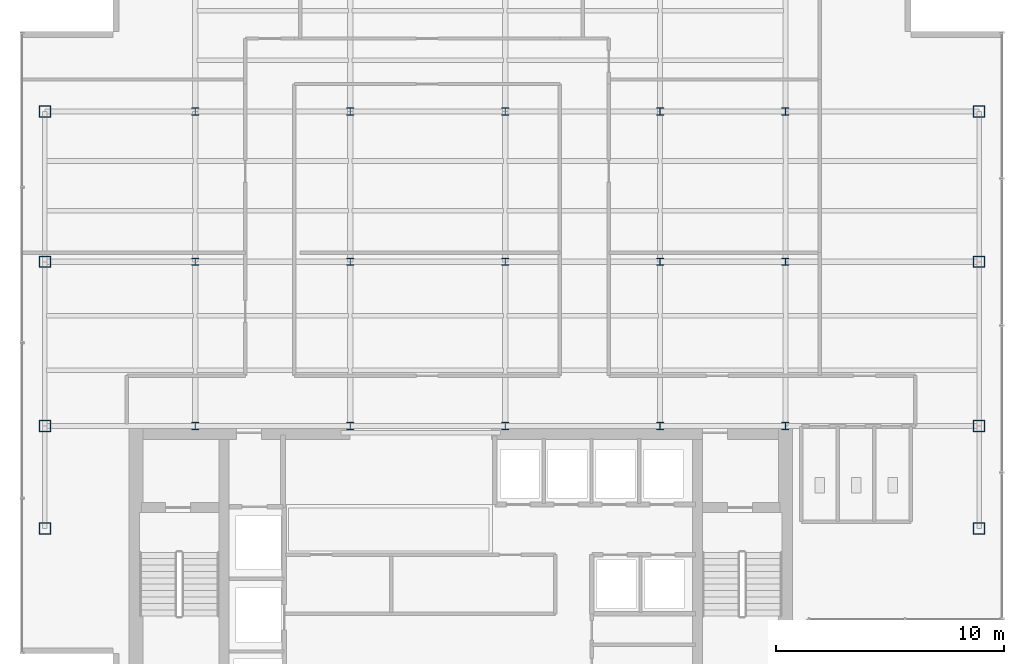
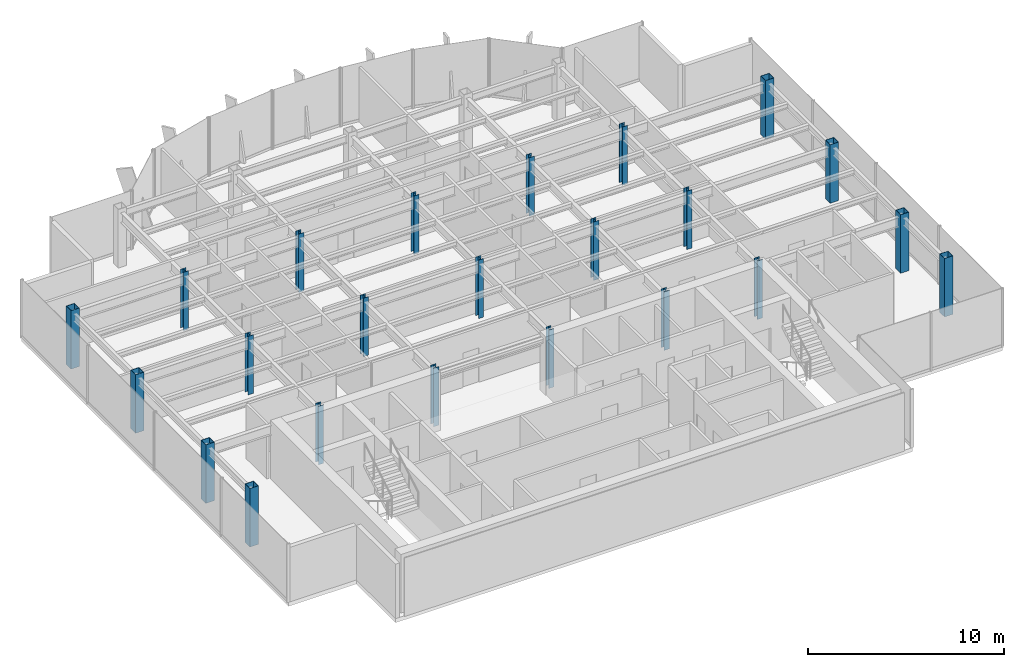
# One storey, part 1 of 22: 23 columns.
"""IFC4 building model written with IfcOpenShell, lengths in metres."""

from ifc_helpers import new_model, si_unit, derived_unit, direction, frame, origin, origin_2d, place, context, subcontext, project, spatial, hollow_rectangle, i_section, extrude, source, transform, mapped, material, material_profile, profile_set, type_object, element, save


model = new_model("IFC4")

# Units and contexts
model_context = context("Model", 3, precision=1e-05, world=origin(), true_north=direction((0.0, 1.0)))
body_context = subcontext(model_context, "Body", "Model", "MODEL_VIEW")
ifc_project = project(units=[si_unit("LENGTHUNIT", "METRE"), si_unit("AREAUNIT", "SQUARE_METRE"), si_unit("VOLUMEUNIT", "CUBIC_METRE"), si_unit("PLANEANGLEUNIT", "RADIAN"), si_unit("MASSUNIT", "GRAM", prefix="KILO"), derived_unit("THERMALTRANSMITTANCEUNIT", [(si_unit("POWERUNIT", "WATT"), 1), (si_unit("LENGTHUNIT", "METRE"), -2), (si_unit("THERMODYNAMICTEMPERATUREUNIT", "KELVIN"), -1)])], contexts=[model_context])

# Site, building, storey
site_placement = place(None, origin())
site = spatial("IfcSite", under=ifc_project, at=site_placement, CompositionType="ELEMENT")
building_placement = place(site_placement, origin())
building = spatial("IfcBuilding", under=site, at=building_placement, Name="Skarnbrae Concourse Arena and Tower", CompositionType="ELEMENT")
storey_placement = place(building_placement, frame((0.0, 0.0, 277.050048828125)))
storey = spatial("IfcBuildingStorey", under=building, at=storey_placement, Name="L72", CompositionType="ELEMENT", Elevation=277.050048828125)

# Columns
ifc_material = material(Name="Steel CSA G40.21 350W", Category="steel")
ifc_material_profile_1 = material_profile(ifc_material, hollow_rectangle(XDim=0.5, YDim=0.5, WallThickness=0.02197265625, at=origin_2d()), Name="HSS500X500X22.0")
ifc_profile_set_1 = profile_set([ifc_material_profile_1], Name="Steel CSA G40.21 350W")
column_type_1 = type_object("IfcColumnType", Name="COL-TUBE-HSS500", PredefinedType="COLUMN", material=ifc_profile_set_1)
shared_shape_1 = source(origin(), body_context, "Body", "SweptSolid", [
    extrude(hollow_rectangle(XDim=0.5, YDim=0.5, WallThickness=0.02197265625, at=origin_2d()), origin(), (0.0, 0.0, 1.0), 3.64990234375),
])
for number, where, z_axis, x_axis, name in (
    (1, (1.0, 9.5, 0.0), (0.0, 0.0, 1.0), (1.0, 0.0, 0.0), "L72 Tower column PC_01_01"),
    (2, (1.0, 14.0, 0.0), (0.0, 0.0, 1.0), (1.0, 0.0, 0.0), "L72 Tower column PC_01_02"),
    (3, (1.0, 21.199951171875, 0.0), (0.0, 0.0, 1.0), (1.0, 0.0, 0.0), "L72 Tower column PC_01_03"),
    (4, (1.0, 27.800048828125, 0.0), (0.0, 0.0, 1.0), (1.0, 0.0, 0.0), "L72 Tower column PC_01_04"),
    (5, (42.0, 9.5, 0.0), (0.0, 0.0, 1.0), (1.0, 0.0, 0.0), "L72 Tower column PC_07_01"),
    (6, (42.0, 14.0, 0.0), (0.0, 0.0, 1.0), (1.0, 0.0, 0.0), "L72 Tower column PC_07_02"),
    (7, (42.0, 21.199951171875, 0.0), (0.0, 0.0, 1.0), (1.0, 0.0, 0.0), "L72 Tower column PC_07_03"),
    (8, (42.0, 27.800048828125, 0.0), (0.0, 0.0, 1.0), (1.0, 0.0, 0.0), "L72 Tower column PC_07_04"),
):
    element("IfcColumn", number, at=place(storey_placement, frame(where, z_axis=z_axis, x_axis=x_axis)), inside=storey, type_object=column_type_1, Name=name, PredefinedType="COLUMN", context=body_context, shape_type="MappedRepresentation", body=[
        mapped(shared_shape_1, transform((0.0, 0.0, 0.0))),
    ])
ifc_material_profile_2 = material_profile(ifc_material, i_section(OverallWidth=0.30908203125, OverallDepth=0.322998046875, WebThickness=0.013916015625, FlangeThickness=0.02294921875, at=origin_2d()), Name="W310X143")
ifc_profile_set_2 = profile_set([ifc_material_profile_2], Name="Steel CSA G40.21 350W")
column_type_2 = type_object("IfcColumnType", Name="COL-INT-W310X143", PredefinedType="COLUMN", material=ifc_profile_set_2)
shared_shape_2 = source(origin(), body_context, "Body", "SweptSolid", [
    extrude(i_section(OverallWidth=0.30908203125, OverallDepth=0.322998046875, WebThickness=0.013916015625, FlangeThickness=0.02294921875, at=origin_2d()), origin(), (0.0, 0.0, 1.0), 3.64990234375),
])
for number, where, z_axis, x_axis, name in (
    (9, (7.60009765625, 14.0, 0.0), (0.0, 0.0, 1.0), (1.0, 0.0, 0.0), "L72 Tower column IC_02_02"),
    (10, (7.60009765625, 21.199951171875, 0.0), (0.0, 0.0, 1.0), (1.0, 0.0, 0.0), "L72 Tower column IC_02_03"),
    (11, (7.60009765625, 27.800048828125, 0.0), (0.0, 0.0, 1.0), (1.0, 0.0, 0.0), "L72 Tower column IC_02_04"),
    (12, (14.39990234375, 14.0, 0.0), (0.0, 0.0, 1.0), (1.0, 0.0, 0.0), "L72 Tower column IC_03_02"),
    (13, (14.39990234375, 21.199951171875, 0.0), (0.0, 0.0, 1.0), (1.0, 0.0, 0.0), "L72 Tower column IC_03_03"),
    (14, (14.39990234375, 27.800048828125, 0.0), (0.0, 0.0, 1.0), (1.0, 0.0, 0.0), "L72 Tower column IC_03_04"),
    (15, (21.199951171875, 14.0, 0.0), (0.0, 0.0, 1.0), (1.0, 0.0, 0.0), "L72 Tower column IC_04_02"),
    (16, (21.199951171875, 21.199951171875, 0.0), (0.0, 0.0, 1.0), (1.0, 0.0, 0.0), "L72 Tower column IC_04_03"),
    (17, (21.199951171875, 27.800048828125, 0.0), (0.0, 0.0, 1.0), (1.0, 0.0, 0.0), "L72 Tower column IC_04_04"),
    (18, (28.0, 14.0, 0.0), (0.0, 0.0, 1.0), (1.0, 0.0, 0.0), "L72 Tower column IC_05_02"),
    (19, (28.0, 21.199951171875, 0.0), (0.0, 0.0, 1.0), (1.0, 0.0, 0.0), "L72 Tower column IC_05_03"),
    (20, (28.0, 27.800048828125, 0.0), (0.0, 0.0, 1.0), (1.0, 0.0, 0.0), "L72 Tower column IC_05_04"),
    (21, (33.5, 14.0, 0.0), (0.0, 0.0, 1.0), (1.0, 0.0, 0.0), "L72 Tower column IC_06_02"),
    (22, (33.5, 21.199951171875, 0.0), (0.0, 0.0, 1.0), (1.0, 0.0, 0.0), "L72 Tower column IC_06_03"),
    (23, (33.5, 27.800048828125, 0.0), (0.0, 0.0, 1.0), (1.0, 0.0, 0.0), "L72 Tower column IC_06_04"),
):
    element("IfcColumn", number, at=place(storey_placement, frame(where, z_axis=z_axis, x_axis=x_axis)), inside=storey, type_object=column_type_2, Name=name, PredefinedType="COLUMN", context=body_context, shape_type="MappedRepresentation", body=[
        mapped(shared_shape_2, transform((0.0, 0.0, 0.0))),
    ])

save(model, "model.ifc")
